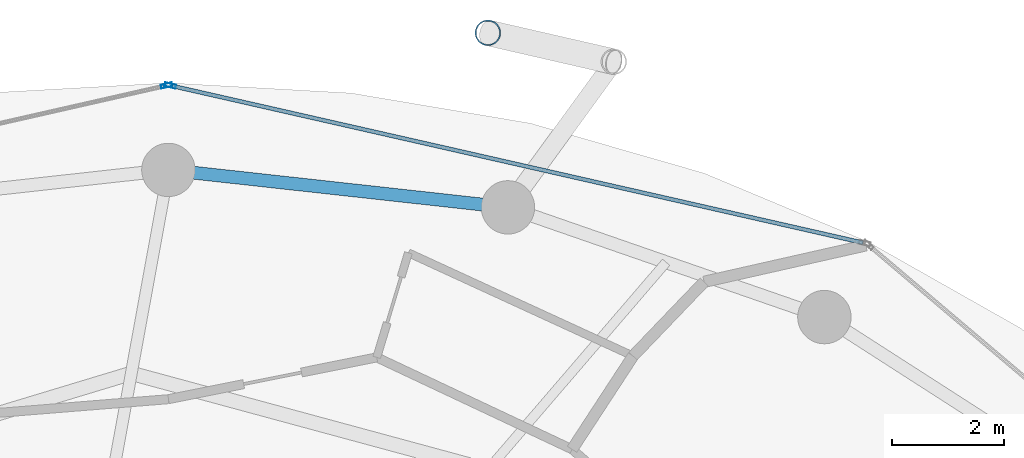
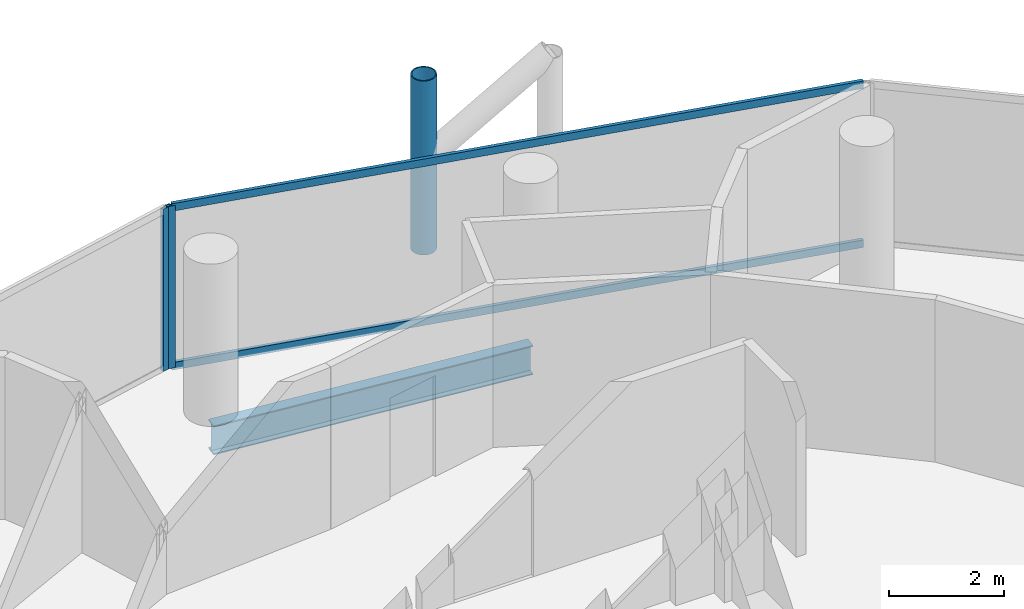
# One storey, part 17 of 26: 5 members, 1 beam, 2 elements without a shape of their own.
"""IFC4 building model written with IfcOpenShell, lengths in metres."""

from ifc_helpers import new_model, si_unit, direction, frame, origin, origin_2d, place, context, subcontext, project, spatial, hollow_rectangle, hollow_circle, i_section, extrude, material, layer, layer_set, material_profile, profile_set, type_object, element, aggregate, save


model = new_model("IFC4")

# Units and contexts
model_context = context("Model", 3, precision=1e-05, world=origin(), true_north=direction((0.0, 1.0)))
body_context = subcontext(model_context, "Body", "Model", "MODEL_VIEW")
ifc_project = project(units=[si_unit("LENGTHUNIT", "METRE"), si_unit("AREAUNIT", "SQUARE_METRE"), si_unit("VOLUMEUNIT", "CUBIC_METRE"), si_unit("PLANEANGLEUNIT", "RADIAN"), si_unit("MASSUNIT", "GRAM", prefix="KILO")], contexts=[model_context])

# Site, building, storey
site_placement = place(None, origin())
site = spatial("IfcSite", under=ifc_project, at=site_placement, CompositionType="ELEMENT")
building_placement = place(site_placement, origin())
building = spatial("IfcBuilding", under=site, at=building_placement, Name="Nuhasar Tower", CompositionType="ELEMENT")
storey_placement = place(building_placement, frame((0.0, 0.0, 118.25)))
storey = spatial("IfcBuildingStorey", under=building, at=storey_placement, Name="L27", CompositionType="ELEMENT", Elevation=118.25)

# Beam
ifc_material_1 = material(Name="Steel S355", Category="steel")
ifc_material_profile_1 = material_profile(ifc_material_1, i_section(OverallWidth=0.22998046875, OverallDepth=0.616943359375, WebThickness=0.01318359375, FlangeThickness=0.022216796875, at=origin_2d()), Name="W24X94")
ifc_profile_set_1 = profile_set([ifc_material_profile_1], Name="Steel S355")
beam_type = type_object("IfcBeamType", Name="BM-RING-W24X94", PredefinedType="SPANDREL", material=ifc_profile_set_1)
beam_placement = place(storey_placement, frame((45.04296875, 45.68408203125, -0.55810546875), z_axis=(-0.993981289157, 0.109549974015, 0.0), x_axis=(-0.109549974015, -0.993981289157, 0.0)))
element("IfcBeam", 1, at=beam_placement, inside=storey, type_object=beam_type, Name="L27 Perimeter Ring Spandrel 06", PredefinedType="SPANDREL", context=body_context, shape_type="SweptSolid", body=[
    extrude(i_section(OverallWidth=0.22998046875, OverallDepth=0.616943359375, WebThickness=0.01318359375, FlangeThickness=0.022216796875, at=origin_2d()), origin(), (0.0, 0.0, 1.0), 6.07958984375),
])

# Curtain wall, member
ifc_material_2 = material(Name="Aluminium 6063-T6", Category="aluminium")
ifc_layer = layer(ifc_material_2, 0.199951171875)
ifc_layer_set = layer_set([ifc_layer], Name="Aluminium 6063-T6")
curtain_wall_type = type_object("IfcCurtainWallType", Name="CW-Z2-HTL", PredefinedType="NOTDEFINED", material=ifc_layer_set)
curtain_wall_1_placement = place(storey_placement, origin())
curtain_wall_1 = element("IfcCurtainWall", 2, at=curtain_wall_1_placement, inside=storey, type_object=curtain_wall_type, Name="L27 Unitised Curtain Wall 03", PredefinedType="NOTDEFINED")
ifc_material_profile_2 = material_profile(ifc_material_2, hollow_rectangle(XDim=0.070068359375, YDim=0.199951171875, WallThickness=0.0048828125, at=origin_2d()), Name="CWM-3")
ifc_profile_set_2 = profile_set([ifc_material_profile_2], Name="Aluminium 6063-T6")
member_type_1 = type_object("IfcMemberType", Name="CW-MUL-S3", PredefinedType="MULLION", material=ifc_profile_set_2)
member_1_placement = place(storey_placement, frame((39.0341796875, 47.852294921875, 0.0), z_axis=(0.0, 0.0, 1.0), x_axis=(-0.22139729566, -0.975183694221, 0.0)))
member_1 = element("IfcMember", 3, at=member_1_placement, type_object=member_type_1, Name="CW-Z2 mullion 2", PredefinedType="MULLION", context=body_context, shape_type="SweptSolid", body=[
    extrude(hollow_rectangle(XDim=0.070068359375, YDim=0.199951171875, WallThickness=0.0048828125, at=origin_2d()), origin(), (0.0, 0.0, 1.0), 3.449951171875),
])

curtain_wall_2_placement = place(storey_placement, origin())
curtain_wall_2 = element("IfcCurtainWall", 4, at=curtain_wall_2_placement, inside=storey, type_object=curtain_wall_type, Name="L27 Unitised Curtain Wall 04", PredefinedType="NOTDEFINED")
member_2_placement = place(storey_placement, frame((38.9658203125, 47.852294921875, 0.0), z_axis=(0.0, 0.0, 1.0), x_axis=(0.22139729566, -0.975183694221, 0.0)))
member_2 = element("IfcMember", 5, at=member_2_placement, type_object=member_type_1, Name="CW-Z2 mullion 1", PredefinedType="MULLION", context=body_context, shape_type="SweptSolid", body=[
    extrude(hollow_rectangle(XDim=0.070068359375, YDim=0.199951171875, WallThickness=0.0048828125, at=origin_2d()), origin(), (0.0, 0.0, 1.0), 3.449951171875),
])
aggregate(curtain_wall_2, [member_2])

# Member
ifc_material_profile_3 = material_profile(ifc_material_2, hollow_rectangle(XDim=0.070068359375, YDim=0.159912109375, WallThickness=0.00439453125, at=origin_2d()), Name="CWT-3")
ifc_profile_set_3 = profile_set([ifc_material_profile_3], Name="Aluminium 6063-T6")
member_type_2 = type_object("IfcMemberType", Name="CW-TRN-S3", PredefinedType="USERDEFINED", material=ifc_profile_set_3)
member_3_placement = place(storey_placement, frame((51.36181640625, 45.053466796875, 0.034912109375), z_axis=(-0.975183434528, 0.221398439519, 0.0), x_axis=(-0.221398439519, -0.975183434528, 0.0)))
member_3 = element("IfcMember", 6, at=member_3_placement, type_object=member_type_2, Name="CW-Z2 transom 1.1", ObjectType="TRANSOM", PredefinedType="USERDEFINED", context=body_context, shape_type="SweptSolid", body=[
    extrude(hollow_rectangle(XDim=0.070068359375, YDim=0.159912109375, WallThickness=0.00439453125, at=origin_2d()), origin(), (0.0, 0.0, 1.0), 12.606201171875),
])

member_4_placement = place(storey_placement, frame((51.36181640625, 45.053466796875, 3.4150390625), z_axis=(-0.975183434528, 0.221398439519, 0.0), x_axis=(-0.221398439519, -0.975183434528, 0.0)))
member_4 = element("IfcMember", 7, at=member_4_placement, type_object=member_type_2, Name="CW-Z2 transom 1.2", ObjectType="TRANSOM", PredefinedType="USERDEFINED", context=body_context, shape_type="SweptSolid", body=[
    extrude(hollow_rectangle(XDim=0.070068359375, YDim=0.159912109375, WallThickness=0.00439453125, at=origin_2d()), origin(), (0.0, 0.0, 1.0), 12.606201171875),
])

aggregate(curtain_wall_1, [member_1, member_3, member_4])

ifc_material_3 = material(Name="Steel S460", Category="steel")
ifc_material_profile_4 = material_profile(ifc_material_3, hollow_circle(Radius=0.228515625, WallThickness=0.022216796875, at=origin_2d()), Name="HSS457X22.2")
ifc_profile_set_4 = profile_set([ifc_material_profile_4], Name="Steel S460")
member_type_3 = type_object("IfcMemberType", Name="EXO-BRONZE-457", PredefinedType="BRACE", material=ifc_profile_set_4)
member_5_placement = place(storey_placement, frame((44.68603515625, 48.7900390625, 0.0), z_axis=(0.0, 0.0, 1.0), x_axis=(1.0, 0.0, 0.0)))
element("IfcMember", 8, at=member_5_placement, inside=storey, type_object=member_type_3, Name="L27 Exoskeleton Chord Column EC-03B", PredefinedType="BRACE", context=body_context, shape_type="SweptSolid", body=[
    extrude(hollow_circle(Radius=0.228515625, WallThickness=0.022216796875, at=origin_2d()), origin(), (0.0, 0.0, 1.0), 3.699951171875),
])

save(model, "model.ifc")
